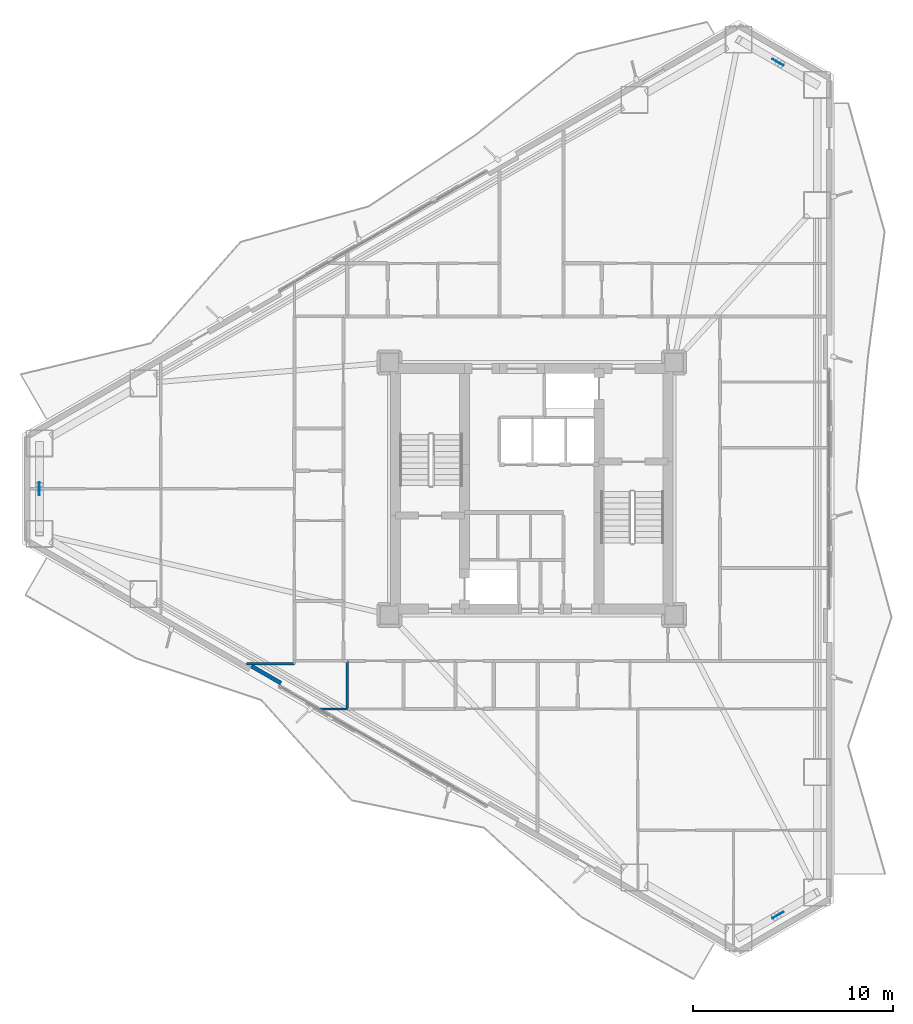
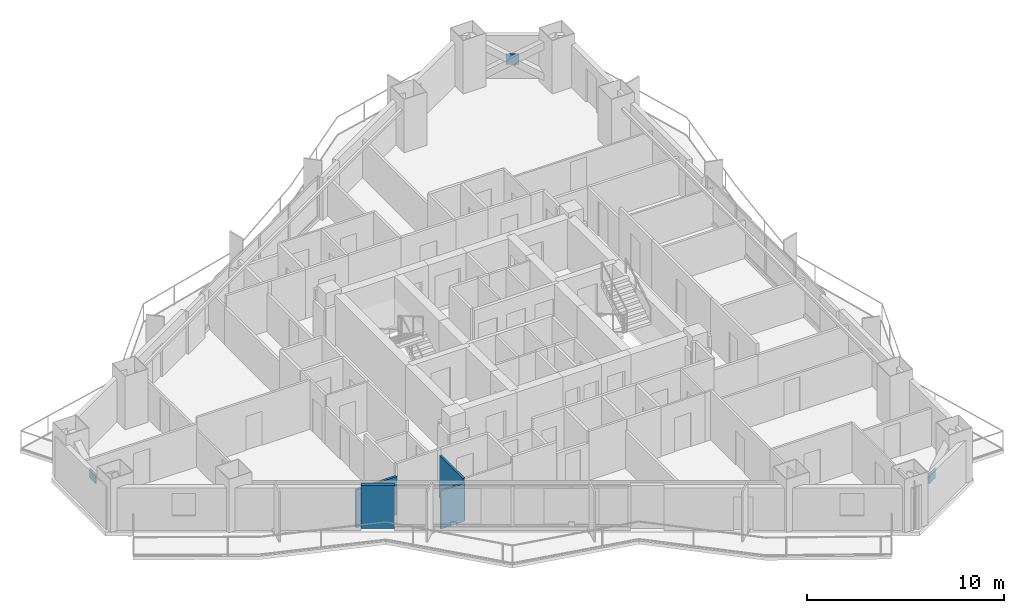
# One storey, part 11 of 19: 4 walls, 3 plates.
"""IFC4 building model written with IfcOpenShell, lengths in metres."""

import ifcopenshell
import ifcopenshell.guid

model = None  # the IFC model being written
_history = None  # IfcOwnerHistory: only IFC2X3 demands one
_inside = {}  # id of a spatial element -> (the spatial element, [elements in it])
_under = {}  # id of a project, library or spatial element -> (it, [spatial elements below it])
_declared = {}  # id of a project -> (the project, [libraries it declares])
_typed = {}  # id of a type object -> (the type object, [elements of that type])
_made_of = {}  # id of a material, layer set ... -> (it, [elements and type objects made of it])


def new_model(schema):
    """Start an empty IFC model of exactly this schema.

    Asked for "IFC4X3", IfcOpenShell would pick the latest addendum, in which some entities
    have other attributes; the version numbers below select the first issue.
    IFC2X3 requires an IfcOwnerHistory on every rooted entity: one is made here for all.
    """
    global model, _history
    if schema == "IFC4X3":
        model = ifcopenshell.file(schema_version=(4, 3, 0, 0))
    else:
        model = ifcopenshell.file(schema=schema)
    _inside.clear()
    _under.clear()
    _declared.clear()
    _typed.clear()
    _made_of.clear()
    _history = None
    if model.schema == "IFC2X3":
        org = make("IfcOrganization", Name="unknown")
        user = make(
            "IfcPersonAndOrganization",
            ThePerson=make("IfcPerson", FamilyName="unknown"),
            TheOrganization=org,
        )
        app = make(
            "IfcApplication",
            ApplicationDeveloper=org,
            Version="unknown",
            ApplicationFullName="unknown",
            ApplicationIdentifier="unknown",
        )
        _history = make(
            "IfcOwnerHistory",
            OwningUser=user,
            OwningApplication=app,
            ChangeAction="ADDED",
            CreationDate=0,
        )
    return model


def make(cls, **values):
    """One entity of the class cls with the attributes given. An attribute that is None is left unset."""
    return model.create_entity(
        cls, **{name: value for name, value in values.items() if value is not None}
    )


def rooted(cls, **values):
    """An entity with a GlobalId (a new one), such as an element, a storey or a relation."""
    return make(cls, GlobalId=ifcopenshell.guid.new(), OwnerHistory=_history, **values)


def si_unit(unit_type, name, prefix=None):
    """IfcSIUnit, for example si_unit("LENGTHUNIT", "METRE", prefix="MILLI")."""
    return make("IfcSIUnit", UnitType=unit_type, Prefix=prefix, Name=name)


def assignment(units):
    """IfcUnitAssignment: the units of a project."""
    return None if units is None else make("IfcUnitAssignment", Units=units)


def point(xyz):
    """IfcCartesianPoint."""
    return None if xyz is None else make("IfcCartesianPoint", Coordinates=xyz)


def direction(xyz):
    """IfcDirection."""
    return None if xyz is None else make("IfcDirection", DirectionRatios=xyz)


def frame(location, z_axis=None, x_axis=None):
    """IfcAxis2Placement3D, a coordinate frame: its origin and axes. An axis left out is left unset."""
    return make(
        "IfcAxis2Placement3D",
        Location=point(location),
        Axis=direction(z_axis),
        RefDirection=direction(x_axis),
    )


def frame_2d(location, x_axis=None):
    """IfcAxis2Placement2D, a coordinate frame in the plane: its origin and x axis."""
    return make(
        "IfcAxis2Placement2D", Location=point(location), RefDirection=direction(x_axis)
    )


def origin():
    """The frame at (0, 0, 0) with its axes left unset."""
    return frame((0.0, 0.0, 0.0))


def origin_2d():
    """The frame at (0, 0) in the plane with its x axis left unset."""
    return frame_2d((0.0, 0.0))


def place(relative_to, where):
    """IfcLocalPlacement: puts the frame where relative to a parent placement (None: the world)."""
    return make(
        "IfcLocalPlacement", PlacementRelTo=relative_to, RelativePlacement=where
    )


def context(
    kind, dimensions, precision=None, world=None, true_north=None, identifier=None
):
    """IfcGeometricRepresentationContext, for example the 3D "Model" context."""
    return make(
        "IfcGeometricRepresentationContext",
        ContextIdentifier=identifier,
        ContextType=kind,
        CoordinateSpaceDimension=dimensions,
        Precision=precision,
        WorldCoordinateSystem=world,
        TrueNorth=true_north,
    )


def subcontext(parent, identifier, kind, view, scale=None):
    """IfcGeometricRepresentationSubContext, for example "Body" below "Model"."""
    return make(
        "IfcGeometricRepresentationSubContext",
        ContextIdentifier=identifier,
        ContextType=kind,
        ParentContext=parent,
        TargetScale=scale,
        TargetView=view,
    )


def project(units=None, contexts=None):
    """IfcProject with its units and contexts."""
    return rooted(
        "IfcProject",
        Name="project",
        RepresentationContexts=contexts,
        UnitsInContext=assignment(units),
    )


def spatial(cls, under=None, at=None, **own):
    """A site, building, storey or space (cls), placed at a placement, below another one or the project."""
    s = rooted(cls, ObjectPlacement=at, **own)
    if under is not None:
        _under.setdefault(under.id(), (under, []))[1].append(s)
    return s


def profile(cls, at=None, kind="AREA", **sizes):
    """A parametric profile (cls). Its sizes go by their IFC names, for example OverallWidth=200.0."""
    return make(cls, ProfileType=kind, Position=at, **sizes)


def rectangle(**sizes):
    """IfcRectangleProfileDef."""
    return profile("IfcRectangleProfileDef", **sizes)


def extrude(swept, where, along, depth):
    """IfcExtrudedAreaSolid: the profile swept, set in the frame where, extruded along a direction by depth."""
    return make(
        "IfcExtrudedAreaSolid",
        SweptArea=swept,
        Position=where,
        ExtrudedDirection=direction(along),
        Depth=depth,
    )


def shape(context_of_items, identifier, shape_type, items):
    """IfcShapeRepresentation: the items that make up one representation, for example the "Body"."""
    return make(
        "IfcShapeRepresentation",
        ContextOfItems=context_of_items,
        RepresentationIdentifier=identifier,
        RepresentationType=shape_type,
        Items=items,
    )


def material(Name=None, Category=None):
    """IfcMaterial."""
    return make("IfcMaterial", Name=Name, Category=Category)


def layer(
    of_material, thickness, ventilated=None, Name=None, Category=None, Priority=None
):
    """IfcMaterialLayer: one layer of a wall or slab, of a material (None: an air gap)."""
    return make(
        "IfcMaterialLayer",
        Material=of_material,
        LayerThickness=thickness,
        IsVentilated=ventilated,
        Name=Name,
        Category=Category,
        Priority=Priority,
    )


def layer_set(layers, Name=None):
    """IfcMaterialLayerSet."""
    return make("IfcMaterialLayerSet", MaterialLayers=layers, LayerSetName=Name)


def made_of(thing, what):
    """Note that an element or type object is made of a material, layer set ...; save() writes the relation."""
    if what is not None:
        _made_of.setdefault(what.id(), (what, []))[1].append(thing)
    return thing


def type_object(cls, material=None, **own):
    """A type object (cls), such as IfcWallType, which elements share."""
    return made_of(rooted(cls, **own), material)


def element(
    cls,
    number,
    at=None,
    inside=None,
    cuts=None,
    type_object=None,
    material=None,
    context=None,
    identifier="Body",
    shape_type=None,
    held_by="IfcProductDefinitionShape",
    body=None,
    shapes=None,
    **own,
):
    """One element of the class cls, such as IfcWall. Its Tag is "e" and its number.

    at: its placement. inside: the storey or other place that contains it. cuts: it is an
    opening in that element (IfcRelVoidsElement). A single representation is given by context,
    identifier, shape_type and body (its items); several are given by shapes. held_by: the class
    of the entity that holds the representations. save() writes the other relations.
    """
    e = rooted(cls, Tag="e%d" % number, ObjectPlacement=at, **own)
    if body is not None:
        shapes = [shape(context, identifier, shape_type, body)]
    if shapes is not None:
        e.Representation = make(held_by, Representations=shapes)
    if inside is not None:
        _inside.setdefault(inside.id(), (inside, []))[1].append(e)
    if cuts is not None:
        rooted(
            "IfcRelVoidsElement", RelatingBuildingElement=cuts, RelatedOpeningElement=e
        )
    if type_object is not None:
        _typed.setdefault(type_object.id(), (type_object, []))[1].append(e)
    return made_of(e, material)


def aggregate(whole, parts):
    """IfcRelAggregates: a whole, such as a stair, and the parts it consists of."""
    return rooted("IfcRelAggregates", RelatingObject=whole, RelatedObjects=parts)


def save(model, path):
    """Write the relations noted so far, then the file.

    IfcRelAggregates (storeys below a building ...), IfcRelContainedInSpatialStructure (elements
    in a storey), IfcRelDefinesByType, IfcRelAssociatesMaterial and IfcRelDeclares: one each for
    every whole, place, type object, material and project.
    """
    for whole, parts in _under.values():
        aggregate(whole, parts)
    for where, things in _inside.values():
        rooted(
            "IfcRelContainedInSpatialStructure",
            RelatedElements=things,
            RelatingStructure=where,
        )
    for kind, things in _typed.values():
        rooted("IfcRelDefinesByType", RelatedObjects=things, RelatingType=kind)
    for what, things in _made_of.values():
        rooted("IfcRelAssociatesMaterial", RelatedObjects=things, RelatingMaterial=what)
    for by, libraries in _declared.values():
        rooted("IfcRelDeclares", RelatingContext=by, RelatedDefinitions=libraries)
    model.write(path)


model = new_model("IFC4")

# Units and contexts
model_context = context("Model", 3, precision=1e-05, world=origin(), true_north=direction((0.0, 1.0)))
body_context = subcontext(model_context, "Body", "Model", "MODEL_VIEW")
ifc_project = project(units=[si_unit("LENGTHUNIT", "METRE"), si_unit("AREAUNIT", "SQUARE_METRE"), si_unit("VOLUMEUNIT", "CUBIC_METRE"), si_unit("PLANEANGLEUNIT", "RADIAN"), si_unit("MASSUNIT", "GRAM", prefix="KILO")], contexts=[model_context])

# Site, building, storey
site_placement = place(None, origin())
site = spatial("IfcSite", under=ifc_project, at=site_placement, CompositionType="ELEMENT")
building_placement = place(site_placement, origin())
building = spatial("IfcBuilding", under=site, at=building_placement, Name="Mersakhor Tower and Convention Hall", CompositionType="ELEMENT")
storey_placement = place(building_placement, frame((0.0, 0.0, 42.300048828125)))
storey = spatial("IfcBuildingStorey", under=building, at=storey_placement, Name="L11", CompositionType="ELEMENT", Elevation=42.300048828125)

# Plates
ifc_material_1 = material(Name="Steel S460", Category="steel")
ifc_layer_1 = layer(ifc_material_1, 0.0400390625)
ifc_layer_set_1 = layer_set([ifc_layer_1], Name="Steel S460")
plate_type = type_object("IfcPlateType", Name="PL-GUSSET-40", PredefinedType="SHEET", material=ifc_layer_set_1)
for number, where, z_axis, x_axis, name in (
    (1, (41.29345703125, 48.04296875, 1.2001953125), (0.0, 0.0, 1.0), (-0.866025403784, 0.5, 0.0), "L11 X-Brace Crossing Gusset Node Plate"),
    (2, (41.29345703125, 5.45703125, 1.2001953125), (0.0, 0.0, 1.0), (0.866025403784, 0.5, 0.0), "L11 X-Brace Crossing Gusset Node Plate"),
    (3, (4.4130859375, 26.75, 1.2001953125), (0.0, 0.0, 1.0), (0.0, -1.0, 0.0), "L11 X-Brace Crossing Gusset Node Plate"),
):
    element("IfcPlate", number, at=place(storey_placement, frame(where, z_axis=z_axis, x_axis=x_axis)), inside=storey, type_object=plate_type, Name=name, PredefinedType="SHEET", context=body_context, shape_type="SweptSolid", body=[
        extrude(rectangle(XDim=0.639892578125, YDim=0.0400390625, at=origin_2d()), origin(), (0.0, 0.0, 1.0), 0.639892578125),
    ])

# Walls
ifc_material_2 = material(Name="Precast concrete C40/50", Category="concrete")
ifc_layer_2 = layer(ifc_material_2, 0.199951171875)
ifc_layer_set_2 = layer_set([ifc_layer_2], Name="Precast concrete C40/50")
wall_type_1 = type_object("IfcWallType", Name="WL-PAR-200", PredefinedType="PARAPET", material=ifc_layer_set_2)
wall_1_placement = place(storey_placement, frame((16.48046875, 17.038818359375, 0.0), z_axis=(0.0, 0.0, 1.0), x_axis=(-0.86605165483, 0.499954529098, 0.0)))
element("IfcWall", 4, at=wall_1_placement, inside=storey, type_object=wall_type_1, Name="L11 Column Pier Cladding Wall F3-C2", PredefinedType="PARAPET", context=body_context, shape_type="SweptSolid", body=[
    extrude(rectangle(XDim=1.699951171875, YDim=0.199951171875, at=frame_2d((0.85009765625, 0.0))), origin(), (0.0, 0.0, 1.0), 2.659912109375),
])
ifc_material_3 = material(Name="Lightweight gypsum partition", Category="other")
ifc_layer_3 = layer(ifc_material_3, 0.10009765625)
ifc_layer_set_3 = layer_set([ifc_layer_3], Name="Lightweight gypsum partition")
wall_type_2 = type_object("IfcWallType", Name="WL-PRT-100", PredefinedType="PARTITIONING", material=ifc_layer_set_3)
wall_2_placement = place(storey_placement, frame((18.41796875, 15.75, 0.0), z_axis=(0.0, 0.0, 1.0), x_axis=(1.0, 0.0, 0.0)))
element("IfcWall", 5, at=wall_2_placement, inside=storey, type_object=wall_type_2, Name="L11 Interior Partition Wall P-114", PredefinedType="PARTITIONING", context=body_context, shape_type="SweptSolid", body=[
    extrude(rectangle(XDim=1.382080078125, YDim=0.10009765625, at=frame_2d((0.69091796875, 0.0))), origin(), (0.0, 0.0, 1.0), 2.364990234375),
])
ifc_material_4 = material(Name="Gypsum board acoustic partition", Category="other")
ifc_layer_4 = layer(ifc_material_4, 0.125)
ifc_layer_set_4 = layer_set([ifc_layer_4], Name="Gypsum board acoustic partition")
wall_type_3 = type_object("IfcWallType", Name="WL-PRT-125", PredefinedType="PARTITIONING", material=ifc_layer_set_4)
wall_3_placement = place(storey_placement, frame((19.800048828125, 15.75, 0.0), z_axis=(0.0, 0.0, 1.0), x_axis=(0.0, 1.0, 0.0)))
element("IfcWall", 6, at=wall_3_placement, inside=storey, type_object=wall_type_3, Name="L11 Interior Partition Wall P-113", PredefinedType="PARTITIONING", context=body_context, shape_type="SweptSolid", body=[
    extrude(rectangle(XDim=2.39990234375, YDim=0.125, at=frame_2d((1.199951171875, 0.0))), origin(), (0.0, 0.0, 1.0), 2.650390625),
])
wall_4_placement = place(storey_placement, frame((17.14990234375, 18.0, 0.0), z_axis=(0.0, 0.0, 1.0), x_axis=(-1.0, 0.0, 0.0)))
element("IfcWall", 7, at=wall_4_placement, inside=storey, type_object=wall_type_3, Name="L11 Interior Partition Wall P-131", PredefinedType="PARTITIONING", context=body_context, shape_type="SweptSolid", body=[
    extrude(rectangle(XDim=2.40087890625, YDim=0.125, at=frame_2d((1.200439453125, 0.0))), origin(), (0.0, 0.0, 1.0), 2.364990234375),
])

save(model, "model.ifc")
